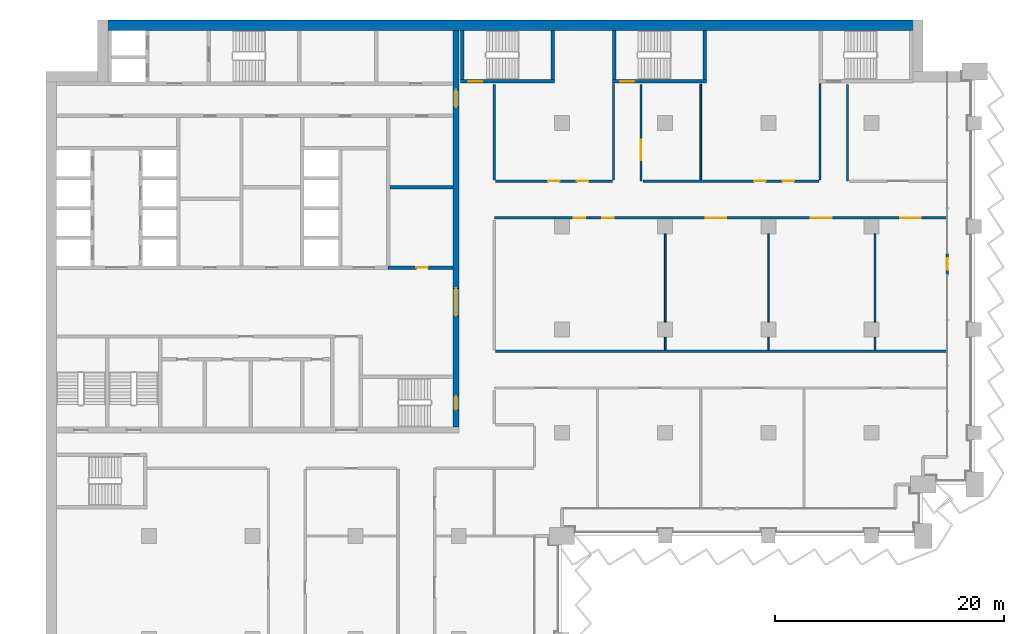
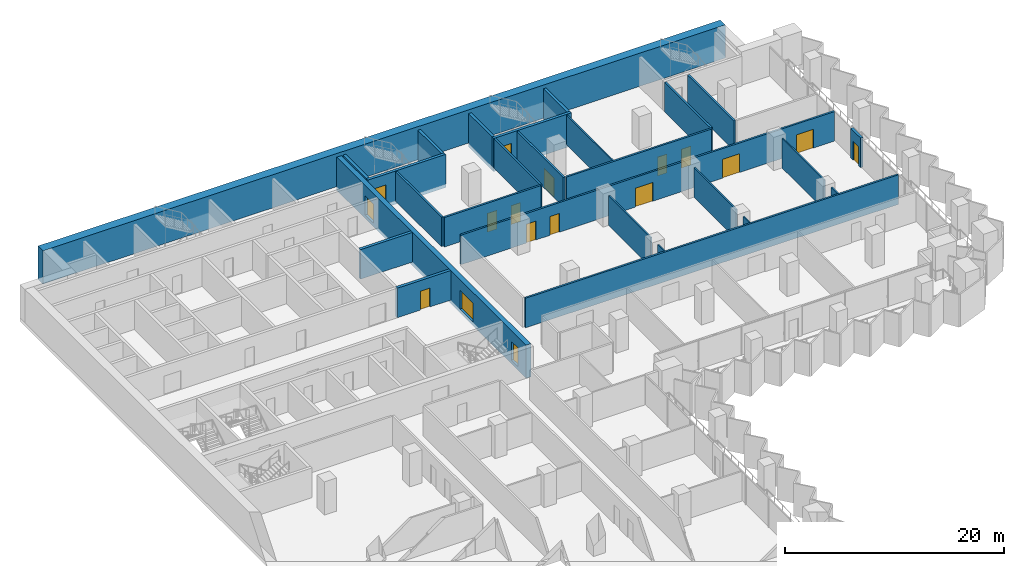
# One storey, part 14 of 22: 27 walls, 17 doors, 17 openings.
"""IFC4 building model written with IfcOpenShell, lengths in metres."""

from ifc_helpers import new_model, si_unit, direction, frame, frame_2d, origin, place, context, subcontext, project, spatial, rectangle, extrude, material, layer, layer_set, type_object, element, fill, save


model = new_model("IFC4")

# Units and contexts
model_context = context("Model", 3, precision=1e-05, world=origin(), true_north=direction((0.0, 1.0)))
body_context = subcontext(model_context, "Body", "Model", "MODEL_VIEW")
ifc_project = project(units=[si_unit("LENGTHUNIT", "METRE"), si_unit("AREAUNIT", "SQUARE_METRE"), si_unit("VOLUMEUNIT", "CUBIC_METRE"), si_unit("PLANEANGLEUNIT", "RADIAN"), si_unit("MASSUNIT", "GRAM", prefix="KILO")], contexts=[model_context])

# Site, building, storey
site_placement = place(None, origin())
site = spatial("IfcSite", under=ifc_project, at=site_placement, CompositionType="ELEMENT")
building_placement = place(site_placement, origin())
building = spatial("IfcBuilding", under=site, at=building_placement, Name="Hunhe Ridgeline Campus", CompositionType="ELEMENT")
storey_placement = place(building_placement, frame((0.0, 0.0, 84.800048828125)))
storey = spatial("IfcBuildingStorey", under=building, at=storey_placement, Name="L20", CompositionType="ELEMENT", Elevation=84.800048828125)

# Wall, opening, door
ifc_material_1 = material(Name="Masonry concrete blockwork", Category="masonry")
ifc_layer_1 = layer(ifc_material_1, 0.300048828125)
ifc_layer_set_1 = layer_set([ifc_layer_1], Name="Core room partition 300 concrete block")
wall_type_1 = type_object("IfcWallType", Name="Core room partition 300 concrete block", PredefinedType="PARTITIONING", material=ifc_layer_set_1)
wall_1_placement = place(storey_placement, frame((29.85009765625, 77.39990234375, 0.0), z_axis=(0.0, 0.0, 1.0), x_axis=(1.0, 0.0, 0.0)))
wall_1 = element("IfcWall", 1, at=wall_1_placement, inside=storey, type_object=wall_type_1, Name="L20 core partition 13", PredefinedType="PARTITIONING", context=body_context, shape_type="SweptSolid", body=[
    extrude(rectangle(XDim=5.64990234375, YDim=0.300048828125, at=frame_2d((2.824951171875, 0.0))), origin(), (0.0, 0.0, 1.0), 3.300048828125),
])
opening_1_placement = place(wall_1_placement, frame((2.449951171875, 0.0, 0.0)))
opening_1 = element("IfcOpeningElement", 2, at=opening_1_placement, cuts=wall_1, Name="Opening CD32", PredefinedType="OPENING", context=body_context, shape_type="SweptSolid", body=[
    extrude(rectangle(XDim=1.0, YDim=2.10009765625, at=frame_2d((0.5, 1.050048828125))), frame((0.0, 0.14990234375, 0.0), z_axis=(0.0, -1.0, 0.0), x_axis=(1.0, 0.0, 0.0)), (0.0, 0.0, 1.0), 0.300048828125),
])
ifc_material_2 = material(Name="Solid core timber door leaf", Category="wood")
door_type_1 = type_object("IfcDoorType", Name="Timber door 1000x2100", OperationType="SINGLE_SWING_LEFT", PredefinedType="DOOR", material=ifc_material_2)
door_1_placement = place(opening_1_placement, origin())
door_1 = element("IfcDoor", 3, at=door_1_placement, inside=storey, type_object=door_type_1, Name="L20 door ES0", OperationType="SINGLE_SWING_RIGHT", OverallHeight=2.10009765625, OverallWidth=1.0, PredefinedType="DOOR", context=body_context, shape_type="SweptSolid", body=[
    extrude(rectangle(XDim=1.0, YDim=2.10009765625, at=frame_2d((0.5, 1.050048828125))), frame((0.0, 0.02490234375, 0.0), z_axis=(0.0, -1.0, 0.0), x_axis=(1.0, 0.0, 0.0)), (0.0, 0.0, 1.0), 0.050048828125),
])
fill(opening_1, door_1)

# Wall
wall_2_placement = place(storey_placement, frame((30.0, 84.39990234375, 0.0), z_axis=(0.0, 0.0, 1.0), x_axis=(1.0, 0.0, 0.0)))
element("IfcWall", 4, at=wall_2_placement, inside=storey, type_object=wall_type_1, Name="L20 core partition 22", PredefinedType="PARTITIONING", context=body_context, shape_type="SweptSolid", body=[
    extrude(rectangle(XDim=5.5, YDim=0.300048828125, at=frame_2d((2.75, 0.0))), origin(), (0.0, 0.0, 1.0), 3.300048828125),
])

# Wall, openings, doors
ifc_material_3 = material(Name="Concrete C80", Category="concrete")
ifc_layer_2 = layer(ifc_material_3, 0.5)
ifc_layer_set_2 = layer_set([ifc_layer_2], Name="Core wall 500 reinforced concrete C80")
wall_type_2 = type_object("IfcWallType", Name="Core wall 500 reinforced concrete C80", PredefinedType="SOLIDWALL", material=ifc_layer_set_2)
wall_3_placement = place(storey_placement, frame((35.75, 63.5, -0.400146484375), z_axis=(0.0, 0.0, 1.0), x_axis=(0.0, 1.0, 0.0)))
wall_3 = element("IfcWall", 5, at=wall_3_placement, inside=storey, type_object=wall_type_2, Name="L20 core wall 61", PredefinedType="SOLIDWALL", context=body_context, shape_type="SweptSolid", body=[
    extrude(rectangle(XDim=34.60009765625, YDim=0.5, at=frame_2d((17.300048828125, 0.0))), origin(), (0.0, 0.0, 1.0), 3.7001953125),
])
opening_2_placement = place(wall_3_placement, frame((9.699951171875, 0.0, 0.39990234375)))
opening_2 = element("IfcOpeningElement", 6, at=opening_2_placement, cuts=wall_3, Name="Opening CD4", PredefinedType="OPENING", context=body_context, shape_type="SweptSolid", body=[
    extrude(rectangle(XDim=2.39990234375, YDim=2.10009765625, at=frame_2d((1.199951171875, 1.050048828125))), frame((0.0, 0.25, 0.0), z_axis=(0.0, -1.0, 0.0), x_axis=(1.0, 0.0, 0.0)), (0.0, 0.0, 1.0), 0.5),
])
opening_3_placement = place(wall_3_placement, frame((27.89990234375, 0.0, 0.39990234375)))
opening_3 = element("IfcOpeningElement", 7, at=opening_3_placement, cuts=wall_3, Name="Opening CD5", PredefinedType="OPENING", context=body_context, shape_type="SweptSolid", body=[
    extrude(rectangle(XDim=1.5, YDim=2.10009765625, at=frame_2d((0.75, 1.050048828125))), frame((0.0, 0.25, 0.0), z_axis=(0.0, -1.0, 0.0), x_axis=(1.0, 0.0, 0.0)), (0.0, 0.0, 1.0), 0.5),
])
opening_4_placement = place(wall_3_placement, frame((1.5, 0.0, 0.39990234375)))
opening_4 = element("IfcOpeningElement", 8, at=opening_4_placement, cuts=wall_3, Name="Opening CD15", PredefinedType="OPENING", context=body_context, shape_type="SweptSolid", body=[
    extrude(rectangle(XDim=1.199951171875, YDim=2.10009765625, at=frame_2d((0.60009765625, 1.050048828125))), frame((0.0, 0.25, 0.0), z_axis=(0.0, -1.0, 0.0), x_axis=(1.0, 0.0, 0.0)), (0.0, 0.0, 1.0), 0.5),
])
ifc_material_4 = material(Name="Anodised aluminium and glass", Category="aluminium")
door_type_2 = type_object("IfcDoorType", Name="Glazed double door 2400x2100", OperationType="DOUBLE_DOOR_SINGLE_SWING", PredefinedType="DOOR", material=ifc_material_4)
door_2_placement = place(opening_2_placement, frame((2.39990234375, 0.0, 0.0), z_axis=(0.0, 0.0, 1.0), x_axis=(-1.0, 0.0, 0.0)))
door_2 = element("IfcDoor", 9, at=door_2_placement, inside=storey, type_object=door_type_2, Name="L20 door HALL-FLOOR", OperationType="DOUBLE_DOOR_SINGLE_SWING", OverallHeight=2.10009765625, OverallWidth=2.39990234375, PredefinedType="DOOR", context=body_context, shape_type="SweptSolid", body=[
    extrude(rectangle(XDim=2.39990234375, YDim=2.10009765625, at=frame_2d((1.199951171875, 1.050048828125))), frame((0.0, 0.02490234375, 0.0), z_axis=(0.0, -1.0, 0.0), x_axis=(1.0, 0.0, 0.0)), (0.0, 0.0, 1.0), 0.050048828125),
])
fill(opening_2, door_2)
ifc_material_5 = material(Name="Hollow metal fire door leaf")
door_type_3 = type_object("IfcDoorType", Name="Stair door 1200x2100 FD60", OperationType="SINGLE_SWING_LEFT", PredefinedType="DOOR", material=ifc_material_5)
door_3_placement = place(opening_4_placement, frame((1.199951171875, 0.0, 0.0), z_axis=(0.0, 0.0, 1.0), x_axis=(-1.0, 0.0, 0.0)))
door_3 = element("IfcDoor", 10, at=door_3_placement, inside=storey, type_object=door_type_3, Name="L20 door S2-FLOOR", OperationType="SINGLE_SWING_RIGHT", OverallHeight=2.10009765625, OverallWidth=1.199951171875, PredefinedType="DOOR", context=body_context, shape_type="SweptSolid", body=[
    extrude(rectangle(XDim=1.199951171875, YDim=2.10009765625, at=frame_2d((0.60009765625, 1.050048828125))), frame((0.0, 0.02490234375, 0.0), z_axis=(0.0, -1.0, 0.0), x_axis=(1.0, 0.0, 0.0)), (0.0, 0.0, 1.0), 0.050048828125),
])
fill(opening_4, door_3)
door_type_4 = type_object("IfcDoorType", Name="Timber door 1500x2100", OperationType="SINGLE_SWING_LEFT", PredefinedType="DOOR", material=ifc_material_2)
door_4_placement = place(opening_3_placement, frame((1.5, 0.0, 0.0), z_axis=(0.0, 0.0, 1.0), x_axis=(-1.0, 0.0, 0.0)))
door_4 = element("IfcDoor", 11, at=door_4_placement, inside=storey, type_object=door_type_4, Name="L20 door C1-FLOOR", OperationType="SINGLE_SWING_RIGHT", OverallHeight=2.10009765625, OverallWidth=1.5, PredefinedType="DOOR", context=body_context, shape_type="SweptSolid", body=[
    extrude(rectangle(XDim=1.5, YDim=2.10009765625, at=frame_2d((0.75, 1.050048828125))), frame((0.0, 0.02490234375, 0.0), z_axis=(0.0, -1.0, 0.0), x_axis=(1.0, 0.0, 0.0)), (0.0, 0.0, 1.0), 0.050048828125),
])
fill(opening_3, door_4)

# Wall
ifc_material_6 = material(Name="Gypsum board partition")
ifc_layer_3 = layer(ifc_material_6, 0.199951171875)
ifc_layer_set_3 = layer_set([ifc_layer_3], Name="Corridor partition 200 gypsum board on steel studs")
wall_type_3 = type_object("IfcWallType", Name="Corridor partition 200 gypsum board on steel studs", PredefinedType="PARTITIONING", material=ifc_layer_set_3)
wall_4_placement = place(storey_placement, frame((39.199951171875, 70.10009765625, 0.0), z_axis=(0.0, 0.0, 1.0), x_axis=(1.0, 0.0, 0.0)))
element("IfcWall", 12, at=wall_4_placement, inside=storey, type_object=wall_type_3, Name="F-L20-wall-039", PredefinedType="PARTITIONING", context=body_context, shape_type="SweptSolid", body=[
    extrude(rectangle(XDim=39.344970703125, YDim=0.199951171875, at=frame_2d((19.67236328125, 0.0))), origin(), (0.0, 0.0, 1.0), 3.300048828125),
])

# Wall, openings, doors
wall_5_placement = place(storey_placement, frame((78.544921875, 81.75, 0.0), z_axis=(0.0, 0.0, 1.0), x_axis=(-1.0, 0.0, 0.0)))
wall_5 = element("IfcWall", 13, at=wall_5_placement, inside=storey, type_object=wall_type_3, Name="F-L20-wall-040", PredefinedType="PARTITIONING", context=body_context, shape_type="SweptSolid", body=[
    extrude(rectangle(XDim=39.44482421875, YDim=0.199951171875, at=frame_2d((19.722412109375, 0.0))), origin(), (0.0, 0.0, 1.0), 3.300048828125),
])
opening_5_placement = place(wall_5_placement, frame((31.533447265625, 0.0, 0.0)))
opening_5 = element("IfcOpeningElement", 14, at=opening_5_placement, cuts=wall_5, Name="Opening RD1-027", PredefinedType="OPENING", context=body_context, shape_type="SweptSolid", body=[
    extrude(rectangle(XDim=1.0, YDim=2.10009765625, at=frame_2d((0.5, 1.050048828125))), frame((0.0, 0.10009765625, 0.0), z_axis=(0.0, -1.0, 0.0), x_axis=(1.0, 0.0, 0.0)), (0.0, 0.0, 1.0), 0.199951171875),
])
opening_6_placement = place(wall_5_placement, frame((29.033447265625, 0.0, 0.0)))
opening_6 = element("IfcOpeningElement", 15, at=opening_6_placement, cuts=wall_5, Name="Opening RD1-028", PredefinedType="OPENING", context=body_context, shape_type="SweptSolid", body=[
    extrude(rectangle(XDim=1.0, YDim=2.10009765625, at=frame_2d((0.5, 1.050048828125))), frame((0.0, 0.10009765625, 0.0), z_axis=(0.0, -1.0, 0.0), x_axis=(1.0, 0.0, 0.0)), (0.0, 0.0, 1.0), 0.199951171875),
])
opening_7_placement = place(wall_5_placement, frame((19.199462890625, 0.0, 0.0)))
opening_7 = element("IfcOpeningElement", 16, at=opening_7_placement, cuts=wall_5, Name="Opening RD2-029", PredefinedType="OPENING", context=body_context, shape_type="SweptSolid", body=[
    extrude(rectangle(XDim=1.800048828125, YDim=2.10009765625, at=frame_2d((0.89990234375, 1.050048828125))), frame((0.0, 0.10009765625, 0.0), z_axis=(0.0, -1.0, 0.0), x_axis=(1.0, 0.0, 0.0)), (0.0, 0.0, 1.0), 0.199951171875),
])
opening_8_placement = place(wall_5_placement, frame((10.029052734375, 0.0, 0.0)))
opening_8 = element("IfcOpeningElement", 17, at=opening_8_placement, cuts=wall_5, Name="Opening RD2-030", PredefinedType="OPENING", context=body_context, shape_type="SweptSolid", body=[
    extrude(rectangle(XDim=1.800048828125, YDim=2.10009765625, at=frame_2d((0.89990234375, 1.050048828125))), frame((0.0, 0.10009765625, 0.0), z_axis=(0.0, -1.0, 0.0), x_axis=(1.0, 0.0, 0.0)), (0.0, 0.0, 1.0), 0.199951171875),
])
opening_9_placement = place(wall_5_placement, frame((2.240478515625, 0.0, 0.0)))
opening_9 = element("IfcOpeningElement", 18, at=opening_9_placement, cuts=wall_5, Name="Opening RD2-031", PredefinedType="OPENING", context=body_context, shape_type="SweptSolid", body=[
    extrude(rectangle(XDim=1.800048828125, YDim=2.10009765625, at=frame_2d((0.89990234375, 1.050048828125))), frame((0.0, 0.10009765625, 0.0), z_axis=(0.0, -1.0, 0.0), x_axis=(1.0, 0.0, 0.0)), (0.0, 0.0, 1.0), 0.199951171875),
])
ifc_material_7 = material(Name="Timber door leaf", Category="wood")
door_type_5 = type_object("IfcDoorType", Name="Double fire door 1800x2100 timber FD60", OperationType="DOUBLE_DOOR_SINGLE_SWING", PredefinedType="DOOR", material=ifc_material_7)
door_5_placement = place(opening_7_placement, origin())
door_5 = element("IfcDoor", 19, at=door_5_placement, inside=storey, type_object=door_type_5, Name="F-L20-door-029", OperationType="DOUBLE_DOOR_SINGLE_SWING", OverallHeight=2.10009765625, OverallWidth=1.800048828125, PredefinedType="DOOR", context=body_context, shape_type="SweptSolid", body=[
    extrude(rectangle(XDim=1.800048828125, YDim=2.10009765625, at=frame_2d((0.89990234375, 1.050048828125))), frame((0.0, 0.02490234375, 0.0), z_axis=(0.0, -1.0, 0.0), x_axis=(1.0, 0.0, 0.0)), (0.0, 0.0, 1.0), 0.050048828125),
])
fill(opening_7, door_5)
door_6_placement = place(opening_8_placement, origin())
door_6 = element("IfcDoor", 20, at=door_6_placement, inside=storey, type_object=door_type_5, Name="F-L20-door-030", OperationType="DOUBLE_DOOR_SINGLE_SWING", OverallHeight=2.10009765625, OverallWidth=1.800048828125, PredefinedType="DOOR", context=body_context, shape_type="SweptSolid", body=[
    extrude(rectangle(XDim=1.800048828125, YDim=2.10009765625, at=frame_2d((0.89990234375, 1.050048828125))), frame((0.0, 0.02490234375, 0.0), z_axis=(0.0, -1.0, 0.0), x_axis=(1.0, 0.0, 0.0)), (0.0, 0.0, 1.0), 0.050048828125),
])
fill(opening_8, door_6)
door_7_placement = place(opening_9_placement, origin())
door_7 = element("IfcDoor", 21, at=door_7_placement, inside=storey, type_object=door_type_5, Name="F-L20-door-031", OperationType="DOUBLE_DOOR_SINGLE_SWING", OverallHeight=2.10009765625, OverallWidth=1.800048828125, PredefinedType="DOOR", context=body_context, shape_type="SweptSolid", body=[
    extrude(rectangle(XDim=1.800048828125, YDim=2.10009765625, at=frame_2d((0.89990234375, 1.050048828125))), frame((0.0, 0.02490234375, 0.0), z_axis=(0.0, -1.0, 0.0), x_axis=(1.0, 0.0, 0.0)), (0.0, 0.0, 1.0), 0.050048828125),
])
fill(opening_9, door_7)
door_type_6 = type_object("IfcDoorType", Name="Single fire door 1000x2100 timber FD60", OperationType="NOTDEFINED", PredefinedType="DOOR", material=ifc_material_7)
door_8_placement = place(opening_5_placement, frame((1.0, 0.0, 0.0), z_axis=(0.0, 0.0, 1.0), x_axis=(-1.0, 0.0, 0.0)))
door_8 = element("IfcDoor", 22, at=door_8_placement, inside=storey, type_object=door_type_6, Name="F-L20-door-027", OperationType="SINGLE_SWING_LEFT", OverallHeight=2.10009765625, OverallWidth=1.0, PredefinedType="DOOR", context=body_context, shape_type="SweptSolid", body=[
    extrude(rectangle(XDim=1.0, YDim=2.10009765625, at=frame_2d((0.5, 1.050048828125))), frame((0.0, 0.02490234375, 0.0), z_axis=(0.0, -1.0, 0.0), x_axis=(1.0, 0.0, 0.0)), (0.0, 0.0, 1.0), 0.050048828125),
])
fill(opening_5, door_8)
door_9_placement = place(opening_6_placement, frame((1.0, 0.0, 0.0), z_axis=(0.0, 0.0, 1.0), x_axis=(-1.0, 0.0, 0.0)))
door_9 = element("IfcDoor", 23, at=door_9_placement, inside=storey, type_object=door_type_6, Name="F-L20-door-028", OperationType="SINGLE_SWING_RIGHT", OverallHeight=2.10009765625, OverallWidth=1.0, PredefinedType="DOOR", context=body_context, shape_type="SweptSolid", body=[
    extrude(rectangle(XDim=1.0, YDim=2.10009765625, at=frame_2d((0.5, 1.050048828125))), frame((0.0, 0.02490234375, 0.0), z_axis=(0.0, -1.0, 0.0), x_axis=(1.0, 0.0, 0.0)), (0.0, 0.0, 1.0), 0.050048828125),
])
fill(opening_6, door_9)

wall_6_placement = place(storey_placement, frame((39.199951171875, 84.949951171875, 0.0), z_axis=(0.0, 0.0, 1.0), x_axis=(1.0, 0.0, 0.0)))
wall_6 = element("IfcWall", 24, at=wall_6_placement, inside=storey, type_object=wall_type_3, Name="F-L20-wall-041", PredefinedType="PARTITIONING", context=body_context, shape_type="SweptSolid", body=[
    extrude(rectangle(XDim=10.199951171875, YDim=0.199951171875, at=frame_2d((5.10009765625, 0.0))), origin(), (0.0, 0.0, 1.0), 3.300048828125),
])
opening_10_placement = place(wall_6_placement, frame((4.60009765625, 0.0, 0.0)))
opening_10 = element("IfcOpeningElement", 25, at=opening_10_placement, cuts=wall_6, Name="Opening RD1-032", PredefinedType="OPENING", context=body_context, shape_type="SweptSolid", body=[
    extrude(rectangle(XDim=1.0, YDim=2.10009765625, at=frame_2d((0.5, 1.050048828125))), frame((0.0, 0.10009765625, 0.0), z_axis=(0.0, -1.0, 0.0), x_axis=(1.0, 0.0, 0.0)), (0.0, 0.0, 1.0), 0.199951171875),
])
opening_11_placement = place(wall_6_placement, frame((7.10009765625, 0.0, 0.0)))
opening_11 = element("IfcOpeningElement", 26, at=opening_11_placement, cuts=wall_6, Name="Opening RD1-033", PredefinedType="OPENING", context=body_context, shape_type="SweptSolid", body=[
    extrude(rectangle(XDim=1.0, YDim=2.10009765625, at=frame_2d((0.5, 1.050048828125))), frame((0.0, 0.10009765625, 0.0), z_axis=(0.0, -1.0, 0.0), x_axis=(1.0, 0.0, 0.0)), (0.0, 0.0, 1.0), 0.199951171875),
])
door_10_placement = place(opening_10_placement, frame((1.0, 0.0, 0.0), z_axis=(0.0, 0.0, 1.0), x_axis=(-1.0, 0.0, 0.0)))
door_10 = element("IfcDoor", 27, at=door_10_placement, inside=storey, type_object=door_type_6, Name="F-L20-door-032", OperationType="SINGLE_SWING_LEFT", OverallHeight=2.10009765625, OverallWidth=1.0, PredefinedType="DOOR", context=body_context, shape_type="SweptSolid", body=[
    extrude(rectangle(XDim=1.0, YDim=2.10009765625, at=frame_2d((0.5, 1.050048828125))), frame((0.0, 0.02490234375, 0.0), z_axis=(0.0, -1.0, 0.0), x_axis=(1.0, 0.0, 0.0)), (0.0, 0.0, 1.0), 0.050048828125),
])
fill(opening_10, door_10)
door_11_placement = place(opening_11_placement, frame((1.0, 0.0, 0.0), z_axis=(0.0, 0.0, 1.0), x_axis=(-1.0, 0.0, 0.0)))
door_11 = element("IfcDoor", 28, at=door_11_placement, inside=storey, type_object=door_type_6, Name="F-L20-door-033", OperationType="SINGLE_SWING_LEFT", OverallHeight=2.10009765625, OverallWidth=1.0, PredefinedType="DOOR", context=body_context, shape_type="SweptSolid", body=[
    extrude(rectangle(XDim=1.0, YDim=2.10009765625, at=frame_2d((0.5, 1.050048828125))), frame((0.0, 0.02490234375, 0.0), z_axis=(0.0, -1.0, 0.0), x_axis=(1.0, 0.0, 0.0)), (0.0, 0.0, 1.0), 0.050048828125),
])
fill(opening_11, door_11)

wall_7_placement = place(storey_placement, frame((52.081787109375, 84.949951171875, 0.0), z_axis=(0.0, 0.0, 1.0), x_axis=(1.0, 0.0, 0.0)))
wall_7 = element("IfcWall", 29, at=wall_7_placement, inside=storey, type_object=wall_type_3, Name="F-L20-wall-042", PredefinedType="PARTITIONING", context=body_context, shape_type="SweptSolid", body=[
    extrude(rectangle(XDim=15.318115234375, YDim=0.199951171875, at=frame_2d((7.6591796875, 0.0))), origin(), (0.0, 0.0, 1.0), 3.300048828125),
])
opening_12_placement = place(wall_7_placement, frame((9.670166015625, 0.0, 0.0)))
opening_12 = element("IfcOpeningElement", 30, at=opening_12_placement, cuts=wall_7, Name="Opening RD1-034", PredefinedType="OPENING", context=body_context, shape_type="SweptSolid", body=[
    extrude(rectangle(XDim=1.0, YDim=2.10009765625, at=frame_2d((0.5, 1.050048828125))), frame((0.0, 0.10009765625, 0.0), z_axis=(0.0, -1.0, 0.0), x_axis=(1.0, 0.0, 0.0)), (0.0, 0.0, 1.0), 0.199951171875),
])
opening_13_placement = place(wall_7_placement, frame((12.170166015625, 0.0, 0.0)))
opening_13 = element("IfcOpeningElement", 31, at=opening_13_placement, cuts=wall_7, Name="Opening RD1-035", PredefinedType="OPENING", context=body_context, shape_type="SweptSolid", body=[
    extrude(rectangle(XDim=1.0, YDim=2.10009765625, at=frame_2d((0.5, 1.050048828125))), frame((0.0, 0.10009765625, 0.0), z_axis=(0.0, -1.0, 0.0), x_axis=(1.0, 0.0, 0.0)), (0.0, 0.0, 1.0), 0.199951171875),
])
door_12_placement = place(opening_12_placement, frame((1.0, 0.0, 0.0), z_axis=(0.0, 0.0, 1.0), x_axis=(-1.0, 0.0, 0.0)))
door_12 = element("IfcDoor", 32, at=door_12_placement, inside=storey, type_object=door_type_6, Name="F-L20-door-034", OperationType="SINGLE_SWING_LEFT", OverallHeight=2.10009765625, OverallWidth=1.0, PredefinedType="DOOR", context=body_context, shape_type="SweptSolid", body=[
    extrude(rectangle(XDim=1.0, YDim=2.10009765625, at=frame_2d((0.5, 1.050048828125))), frame((0.0, 0.02490234375, 0.0), z_axis=(0.0, -1.0, 0.0), x_axis=(1.0, 0.0, 0.0)), (0.0, 0.0, 1.0), 0.050048828125),
])
fill(opening_12, door_12)
door_13_placement = place(opening_13_placement, frame((1.0, 0.0, 0.0), z_axis=(0.0, 0.0, 1.0), x_axis=(-1.0, 0.0, 0.0)))
door_13 = element("IfcDoor", 33, at=door_13_placement, inside=storey, type_object=door_type_6, Name="F-L20-door-035", OperationType="SINGLE_SWING_LEFT", OverallHeight=2.10009765625, OverallWidth=1.0, PredefinedType="DOOR", context=body_context, shape_type="SweptSolid", body=[
    extrude(rectangle(XDim=1.0, YDim=2.10009765625, at=frame_2d((0.5, 1.050048828125))), frame((0.0, 0.02490234375, 0.0), z_axis=(0.0, -1.0, 0.0), x_axis=(1.0, 0.0, 0.0)), (0.0, 0.0, 1.0), 0.050048828125),
])
fill(opening_13, door_13)

# Walls
wall_8_placement = place(storey_placement, frame((39.10009765625, 93.39599609375, 0.0), z_axis=(0.0, 0.0, 1.0), x_axis=(0.0, -1.0, 0.0)))
element("IfcWall", 34, at=wall_8_placement, inside=storey, type_object=wall_type_3, Name="F-L20-wall-058", PredefinedType="PARTITIONING", context=body_context, shape_type="SweptSolid", body=[
    extrude(rectangle(XDim=8.345947265625, YDim=0.199951171875, at=frame_2d((4.1728515625, 0.0))), origin(), (0.0, 0.0, 1.0), 3.300048828125),
])
wall_9_placement = place(storey_placement, frame((49.5, 85.050048828125, 0.0), z_axis=(0.0, 0.0, 1.0), x_axis=(0.0, 1.0, 0.0)))
element("IfcWall", 35, at=wall_9_placement, inside=storey, type_object=wall_type_3, Name="F-L20-wall-061", PredefinedType="PARTITIONING", context=body_context, shape_type="SweptSolid", body=[
    extrude(rectangle(XDim=8.419921875, YDim=0.199951171875, at=frame_2d((4.2099609375, 0.0))), origin(), (0.0, 0.0, 1.0), 3.300048828125),
])

# Wall, opening, door
wall_10_placement = place(storey_placement, frame((51.89990234375, 93.39599609375, 0.0), z_axis=(0.0, 0.0, 1.0), x_axis=(0.0, -1.0, 0.0)))
wall_10 = element("IfcWall", 36, at=wall_10_placement, inside=storey, type_object=wall_type_3, Name="F-L20-wall-062", PredefinedType="PARTITIONING", context=body_context, shape_type="SweptSolid", body=[
    extrude(rectangle(XDim=8.446044921875, YDim=0.199951171875, at=frame_2d((4.22314453125, 0.0))), origin(), (0.0, 0.0, 1.0), 3.300048828125),
])
opening_14_placement = place(wall_10_placement, frame((4.822998046875, 0.0, 0.0)))
opening_14 = element("IfcOpeningElement", 37, at=opening_14_placement, cuts=wall_10, Name="Opening RD2-037", PredefinedType="OPENING", context=body_context, shape_type="SweptSolid", body=[
    extrude(rectangle(XDim=1.800048828125, YDim=2.10009765625, at=frame_2d((0.89990234375, 1.050048828125))), frame((0.0, 0.10009765625, 0.0), z_axis=(0.0, -1.0, 0.0), x_axis=(1.0, 0.0, 0.0)), (0.0, 0.0, 1.0), 0.199951171875),
])
door_14_placement = place(opening_14_placement, origin())
door_14 = element("IfcDoor", 38, at=door_14_placement, inside=storey, type_object=door_type_5, Name="F-L20-door-037", OperationType="DOUBLE_DOOR_SINGLE_SWING", OverallHeight=2.10009765625, OverallWidth=1.800048828125, PredefinedType="DOOR", context=body_context, shape_type="SweptSolid", body=[
    extrude(rectangle(XDim=1.800048828125, YDim=2.10009765625, at=frame_2d((0.89990234375, 1.050048828125))), frame((0.0, 0.02490234375, 0.0), z_axis=(0.0, -1.0, 0.0), x_axis=(1.0, 0.0, 0.0)), (0.0, 0.0, 1.0), 0.050048828125),
])
fill(opening_14, door_14)

# Walls
wall_11_placement = place(storey_placement, frame((67.5, 85.050048828125, 0.0), z_axis=(0.0, 0.0, 1.0), x_axis=(0.0, 1.0, 0.0)))
element("IfcWall", 39, at=wall_11_placement, inside=storey, type_object=wall_type_3, Name="F-L20-wall-070", PredefinedType="PARTITIONING", context=body_context, shape_type="SweptSolid", body=[
    extrude(rectangle(XDim=8.419921875, YDim=0.199951171875, at=frame_2d((4.2099609375, 0.0))), origin(), (0.0, 0.0, 1.0), 3.300048828125),
])
wall_12_placement = place(storey_placement, frame((69.89990234375, 93.39599609375, 0.0), z_axis=(0.0, 0.0, 1.0), x_axis=(0.0, -1.0, 0.0)))
element("IfcWall", 40, at=wall_12_placement, inside=storey, type_object=wall_type_3, Name="F-L20-wall-071", PredefinedType="PARTITIONING", context=body_context, shape_type="SweptSolid", body=[
    extrude(rectangle(XDim=8.446044921875, YDim=0.199951171875, at=frame_2d((4.22314453125, 0.0))), origin(), (0.0, 0.0, 1.0), 3.300048828125),
])

# Wall, opening, door
ifc_material_8 = material(Name="Concrete C30", Category="concrete")
ifc_layer_4 = layer(ifc_material_8, 0.25)
ifc_layer_set_4 = layer_set([ifc_layer_4], Name="Loggia door pier wall 250 Concrete C30")
wall_type_4 = type_object("IfcWallType", Name="Loggia door pier wall 250 Concrete C30", PredefinedType="SOLIDWALL", material=ifc_layer_set_4)
wall_13_placement = place(storey_placement, frame((78.59912109375, 76.800537109375, 0.0), z_axis=(0.0, 0.0, 1.0), x_axis=(0.0, 1.0, 0.0)))
wall_13 = element("IfcWall", 41, at=wall_13_placement, inside=storey, type_object=wall_type_4, Name="Loggia door pier 5", PredefinedType="SOLIDWALL", context=body_context, shape_type="SweptSolid", body=[
    extrude(rectangle(XDim=1.800048828125, YDim=0.25, at=frame_2d((0.89990234375, 0.0))), origin(), (0.0, 0.0, 1.0), 3.300048828125),
])
opening_15_placement = place(wall_13_placement, frame((0.39990234375, 0.0, 0.0)))
opening_15 = element("IfcOpeningElement", 42, at=opening_15_placement, cuts=wall_13, Name="Opening BD207", PredefinedType="OPENING", context=body_context, shape_type="SweptSolid", body=[
    extrude(rectangle(XDim=1.0, YDim=2.10009765625, at=frame_2d((0.5, 1.050048828125))), frame((0.0, 0.125, 0.0), z_axis=(0.0, -1.0, 0.0), x_axis=(1.0, 0.0, 0.0)), (0.0, 0.0, 1.0), 0.25),
])
ifc_material_9 = material(Name="Aluminium 6063", Category="aluminium")
door_type_7 = type_object("IfcDoorType", Name="Loggia glazed door 1000x2100", OperationType="NOTDEFINED", PredefinedType="DOOR", material=ifc_material_9)
door_15_placement = place(opening_15_placement, frame((1.0, 0.0, 0.0), z_axis=(0.0, 0.0, 1.0), x_axis=(-1.0, 0.0, 0.0)))
door_15 = element("IfcDoor", 43, at=door_15_placement, inside=storey, type_object=door_type_7, Name="Loggia door BD207", OperationType="SINGLE_SWING_RIGHT", OverallHeight=2.10009765625, OverallWidth=1.0, PredefinedType="DOOR", context=body_context, shape_type="SweptSolid", body=[
    extrude(rectangle(XDim=1.0, YDim=2.10009765625, at=frame_2d((0.5, 1.050048828125))), frame((0.0, 0.02490234375, 0.0), z_axis=(0.0, -1.0, 0.0), x_axis=(1.0, 0.0, 0.0)), (0.0, 0.0, 1.0), 0.050048828125),
])
fill(opening_15, door_15)

# Walls
ifc_layer_5 = layer(ifc_material_6, 0.14990234375)
ifc_layer_set_5 = layer_set([ifc_layer_5], Name="Room partition 150 gypsum board on steel studs")
wall_type_5 = type_object("IfcWallType", Name="Room partition 150 gypsum board on steel studs", PredefinedType="PARTITIONING", material=ifc_layer_set_5)
wall_14_placement = place(storey_placement, frame((54.0, 71.35009765625, 0.0), z_axis=(0.0, 0.0, 1.0), x_axis=(0.0, -1.0, 0.0)))
element("IfcWall", 44, at=wall_14_placement, inside=storey, type_object=wall_type_5, Name="F-L20-wall-063", PredefinedType="PARTITIONING", context=body_context, shape_type="SweptSolid", body=[
    extrude(rectangle(XDim=1.150146484375, YDim=0.14990234375, at=frame_2d((0.5751953125, 0.0))), origin(), (0.0, 0.0, 1.0), 3.300048828125),
])
wall_15_placement = place(storey_placement, frame((54.0, 80.35009765625, 0.0), z_axis=(0.0, 0.0, 1.0), x_axis=(0.0, -1.0, 0.0)))
element("IfcWall", 45, at=wall_15_placement, inside=storey, type_object=wall_type_5, Name="F-L20-wall-064", PredefinedType="PARTITIONING", context=body_context, shape_type="SweptSolid", body=[
    extrude(rectangle(XDim=7.7001953125, YDim=0.14990234375, at=frame_2d((3.85009765625, 0.0))), origin(), (0.0, 0.0, 1.0), 3.300048828125),
])
wall_16_placement = place(storey_placement, frame((57.10009765625, 93.39599609375, 0.0), z_axis=(0.0, 0.0, 1.0), x_axis=(0.0, -1.0, 0.0)))
element("IfcWall", 46, at=wall_16_placement, inside=storey, type_object=wall_type_5, Name="F-L20-wall-066", PredefinedType="PARTITIONING", context=body_context, shape_type="SweptSolid", body=[
    extrude(rectangle(XDim=8.345947265625, YDim=0.14990234375, at=frame_2d((4.1728515625, 0.0))), origin(), (0.0, 0.0, 1.0), 3.300048828125),
])
wall_17_placement = place(storey_placement, frame((63.0, 71.35009765625, 0.0), z_axis=(0.0, 0.0, 1.0), x_axis=(0.0, -1.0, 0.0)))
element("IfcWall", 47, at=wall_17_placement, inside=storey, type_object=wall_type_5, Name="F-L20-wall-067", PredefinedType="PARTITIONING", context=body_context, shape_type="SweptSolid", body=[
    extrude(rectangle(XDim=1.150146484375, YDim=0.14990234375, at=frame_2d((0.5751953125, 0.0))), origin(), (0.0, 0.0, 1.0), 3.300048828125),
])
wall_18_placement = place(storey_placement, frame((63.0, 80.35009765625, 0.0), z_axis=(0.0, 0.0, 1.0), x_axis=(0.0, -1.0, 0.0)))
element("IfcWall", 48, at=wall_18_placement, inside=storey, type_object=wall_type_5, Name="F-L20-wall-068", PredefinedType="PARTITIONING", context=body_context, shape_type="SweptSolid", body=[
    extrude(rectangle(XDim=7.7001953125, YDim=0.14990234375, at=frame_2d((3.85009765625, 0.0))), origin(), (0.0, 0.0, 1.0), 3.300048828125),
])
wall_19_placement = place(storey_placement, frame((72.300048828125, 71.35009765625, 0.0), z_axis=(0.0, 0.0, 1.0), x_axis=(0.0, -1.0, 0.0)))
element("IfcWall", 49, at=wall_19_placement, inside=storey, type_object=wall_type_5, Name="F-L20-wall-072", PredefinedType="PARTITIONING", context=body_context, shape_type="SweptSolid", body=[
    extrude(rectangle(XDim=1.150146484375, YDim=0.14990234375, at=frame_2d((0.5751953125, 0.0))), origin(), (0.0, 0.0, 1.0), 3.300048828125),
])
wall_20_placement = place(storey_placement, frame((72.300048828125, 80.35009765625, 0.0), z_axis=(0.0, 0.0, 1.0), x_axis=(0.0, -1.0, 0.0)))
element("IfcWall", 50, at=wall_20_placement, inside=storey, type_object=wall_type_5, Name="F-L20-wall-073", PredefinedType="PARTITIONING", context=body_context, shape_type="SweptSolid", body=[
    extrude(rectangle(XDim=7.7001953125, YDim=0.14990234375, at=frame_2d((3.85009765625, 0.0))), origin(), (0.0, 0.0, 1.0), 3.300048828125),
])
ifc_material_10 = material(Name="Concrete C70", Category="concrete")
ifc_layer_6 = layer(ifc_material_10, 0.89990234375)
ifc_layer_set_6 = layer_set([ifc_layer_6], Name="Spine wall 900 Concrete C70")
wall_type_6 = type_object("IfcWallType", Name="Spine wall 900 Concrete C70", PredefinedType="SHEAR", material=ifc_layer_set_6)
wall_21_placement = place(storey_placement, frame((76.5, 98.550048828125, 0.0), z_axis=(0.0, 0.0, 1.0), x_axis=(-1.0, 0.0, 0.0)))
element("IfcWall", 51, at=wall_21_placement, inside=storey, type_object=wall_type_6, Name="Spine wall SW2-4 L20", PredefinedType="SHEAR", context=body_context, shape_type="SweptSolid", body=[
    extrude(rectangle(XDim=72.0, YDim=0.89990234375, at=frame_2d((36.0, 0.0))), origin(), (0.0, 0.0, 1.0), 3.699951171875),
])

# Wall, opening, door
ifc_layer_7 = layer(ifc_material_3, 0.300048828125)
ifc_layer_set_7 = layer_set([ifc_layer_7], Name="Stair wall 300 reinforced concrete C80")
wall_type_7 = type_object("IfcWallType", Name="Stair wall 300 reinforced concrete C80", PredefinedType="SOLIDWALL", material=ifc_layer_set_7)
wall_22_placement = place(storey_placement, frame((36.14990234375, 93.64990234375, -0.400146484375), z_axis=(0.0, 0.0, 1.0), x_axis=(1.0, 0.0, 0.0)))
wall_22 = element("IfcWall", 52, at=wall_22_placement, inside=storey, type_object=wall_type_7, Name="L20 core wall 30", PredefinedType="SOLIDWALL", context=body_context, shape_type="SweptSolid", body=[
    extrude(rectangle(XDim=8.2001953125, YDim=0.300048828125, at=frame_2d((4.10009765625, 0.0))), origin(), (0.0, 0.0, 1.0), 3.7001953125),
])
opening_16_placement = place(wall_22_placement, frame((0.699951171875, 0.0, 0.39990234375)))
opening_16 = element("IfcOpeningElement", 53, at=opening_16_placement, cuts=wall_22, Name="Opening CD17", PredefinedType="OPENING", context=body_context, shape_type="SweptSolid", body=[
    extrude(rectangle(XDim=1.199951171875, YDim=2.10009765625, at=frame_2d((0.60009765625, 1.050048828125))), frame((0.0, 0.14990234375, 0.0), z_axis=(0.0, -1.0, 0.0), x_axis=(1.0, 0.0, 0.0)), (0.0, 0.0, 1.0), 0.300048828125),
])
door_16_placement = place(opening_16_placement, frame((1.199951171875, 0.0, 0.0), z_axis=(0.0, 0.0, 1.0), x_axis=(-1.0, 0.0, 0.0)))
door_16 = element("IfcDoor", 54, at=door_16_placement, inside=storey, type_object=door_type_3, Name="L20 door E1", OperationType="SINGLE_SWING_RIGHT", OverallHeight=2.10009765625, OverallWidth=1.199951171875, PredefinedType="DOOR", context=body_context, shape_type="SweptSolid", body=[
    extrude(rectangle(XDim=1.199951171875, YDim=2.10009765625, at=frame_2d((0.60009765625, 1.050048828125))), frame((0.0, 0.02490234375, 0.0), z_axis=(0.0, -1.0, 0.0), x_axis=(1.0, 0.0, 0.0)), (0.0, 0.0, 1.0), 0.050048828125),
])
fill(opening_16, door_16)

wall_23_placement = place(storey_placement, frame((49.39990234375, 93.64990234375, -0.400146484375), z_axis=(0.0, 0.0, 1.0), x_axis=(1.0, 0.0, 0.0)))
wall_23 = element("IfcWall", 55, at=wall_23_placement, inside=storey, type_object=wall_type_7, Name="L20 core wall 31", PredefinedType="SOLIDWALL", context=body_context, shape_type="SweptSolid", body=[
    extrude(rectangle(XDim=8.2001953125, YDim=0.300048828125, at=frame_2d((4.10009765625, 0.0))), origin(), (0.0, 0.0, 1.0), 3.7001953125),
])
opening_17_placement = place(wall_23_placement, frame((0.699951171875, 0.0, 0.39990234375)))
opening_17 = element("IfcOpeningElement", 56, at=opening_17_placement, cuts=wall_23, Name="Opening CD18", PredefinedType="OPENING", context=body_context, shape_type="SweptSolid", body=[
    extrude(rectangle(XDim=1.199951171875, YDim=2.10009765625, at=frame_2d((0.60009765625, 1.050048828125))), frame((0.0, 0.14990234375, 0.0), z_axis=(0.0, -1.0, 0.0), x_axis=(1.0, 0.0, 0.0)), (0.0, 0.0, 1.0), 0.300048828125),
])
door_17_placement = place(opening_17_placement, frame((1.199951171875, 0.0, 0.0), z_axis=(0.0, 0.0, 1.0), x_axis=(-1.0, 0.0, 0.0)))
door_17 = element("IfcDoor", 57, at=door_17_placement, inside=storey, type_object=door_type_3, Name="L20 door E2", OperationType="SINGLE_SWING_LEFT", OverallHeight=2.10009765625, OverallWidth=1.199951171875, PredefinedType="DOOR", context=body_context, shape_type="SweptSolid", body=[
    extrude(rectangle(XDim=1.199951171875, YDim=2.10009765625, at=frame_2d((0.60009765625, 1.050048828125))), frame((0.0, 0.02490234375, 0.0), z_axis=(0.0, -1.0, 0.0), x_axis=(1.0, 0.0, 0.0)), (0.0, 0.0, 1.0), 0.050048828125),
])
fill(opening_17, door_17)

# Walls
for number, where, z_axis, x_axis, name in (
    (58, (36.300048828125, 93.800048828125, -0.400146484375), (0.0, 0.0, 1.0), (0.0, 1.0, 0.0), "L20 core wall 62"),
    (59, (44.199951171875, 93.800048828125, -0.400146484375), (0.0, 0.0, 1.0), (0.0, 1.0, 0.0), "L20 core wall 63"),
    (60, (49.550048828125, 93.800048828125, -0.400146484375), (0.0, 0.0, 1.0), (0.0, 1.0, 0.0), "L20 core wall 64"),
    (61, (57.449951171875, 93.800048828125, -0.400146484375), (0.0, 0.0, 1.0), (0.0, 1.0, 0.0), "L20 core wall 65"),
):
    element("IfcWall", number, at=place(storey_placement, frame(where, z_axis=z_axis, x_axis=x_axis)), inside=storey, type_object=wall_type_7, Name=name, PredefinedType="SOLIDWALL", context=body_context, shape_type="SweptSolid", body=[
        extrude(rectangle(XDim=4.300048828125, YDim=0.300048828125, at=frame_2d((2.14990234375, 0.0))), origin(), (0.0, 0.0, 1.0), 3.7001953125),
    ])

save(model, "model.ifc")
